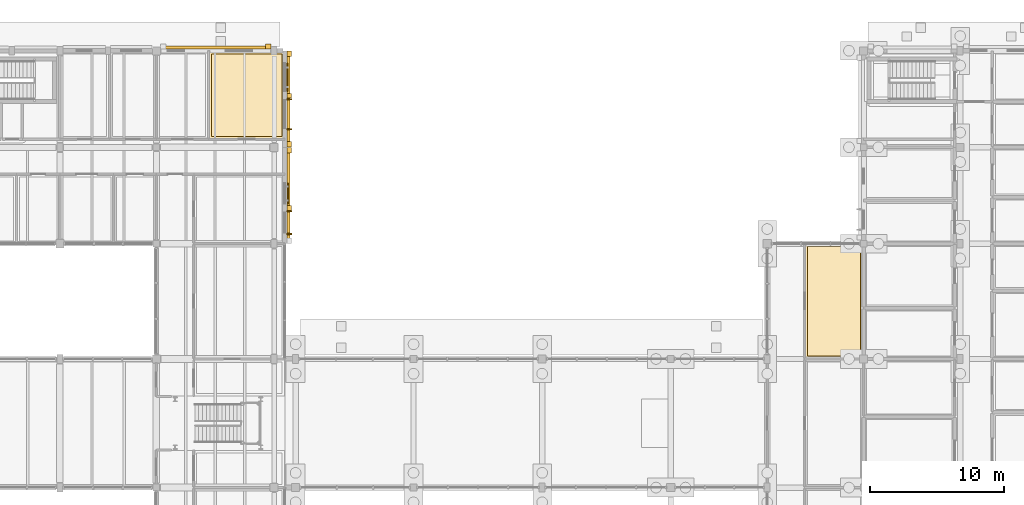
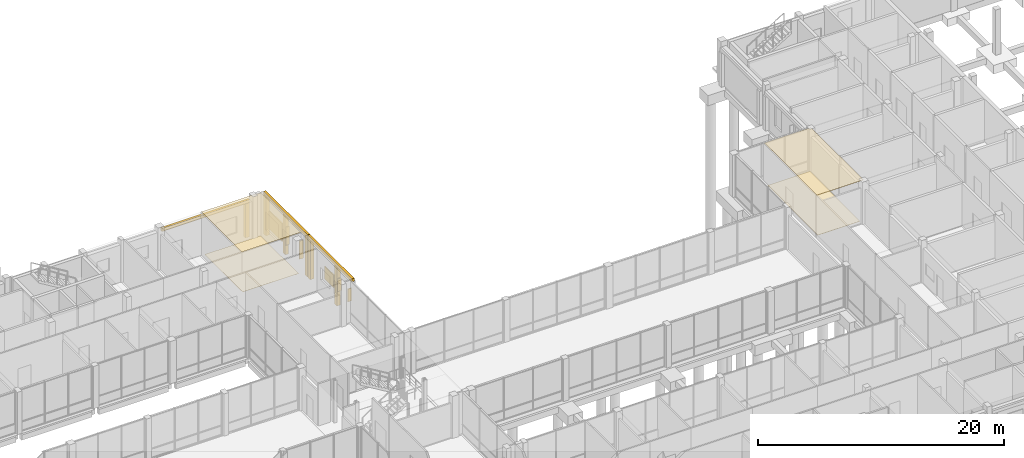
# One storey, part 101 of 104: 13 coverings, 6 shading devices.
"""IFC4 building model written with IfcOpenShell, lengths in metres."""

import ifcopenshell
import ifcopenshell.guid

model = None  # the IFC model being written
_history = None  # IfcOwnerHistory: only IFC2X3 demands one
_inside = {}  # id of a spatial element -> (the spatial element, [elements in it])
_under = {}  # id of a project, library or spatial element -> (it, [spatial elements below it])
_declared = {}  # id of a project -> (the project, [libraries it declares])
_typed = {}  # id of a type object -> (the type object, [elements of that type])
_made_of = {}  # id of a material, layer set ... -> (it, [elements and type objects made of it])


def new_model(schema):
    """Start an empty IFC model of exactly this schema.

    Asked for "IFC4X3", IfcOpenShell would pick the latest addendum, in which some entities
    have other attributes; the version numbers below select the first issue.
    IFC2X3 requires an IfcOwnerHistory on every rooted entity: one is made here for all.
    """
    global model, _history
    if schema == "IFC4X3":
        model = ifcopenshell.file(schema_version=(4, 3, 0, 0))
    else:
        model = ifcopenshell.file(schema=schema)
    _inside.clear()
    _under.clear()
    _declared.clear()
    _typed.clear()
    _made_of.clear()
    _history = None
    if model.schema == "IFC2X3":
        org = make("IfcOrganization", Name="unknown")
        user = make(
            "IfcPersonAndOrganization",
            ThePerson=make("IfcPerson", FamilyName="unknown"),
            TheOrganization=org,
        )
        app = make(
            "IfcApplication",
            ApplicationDeveloper=org,
            Version="unknown",
            ApplicationFullName="unknown",
            ApplicationIdentifier="unknown",
        )
        _history = make(
            "IfcOwnerHistory",
            OwningUser=user,
            OwningApplication=app,
            ChangeAction="ADDED",
            CreationDate=0,
        )
    return model


def make(cls, **values):
    """One entity of the class cls with the attributes given. An attribute that is None is left unset."""
    return model.create_entity(
        cls, **{name: value for name, value in values.items() if value is not None}
    )


def rooted(cls, **values):
    """An entity with a GlobalId (a new one), such as an element, a storey or a relation."""
    return make(cls, GlobalId=ifcopenshell.guid.new(), OwnerHistory=_history, **values)


def si_unit(unit_type, name, prefix=None):
    """IfcSIUnit, for example si_unit("LENGTHUNIT", "METRE", prefix="MILLI")."""
    return make("IfcSIUnit", UnitType=unit_type, Prefix=prefix, Name=name)


def assignment(units):
    """IfcUnitAssignment: the units of a project."""
    return None if units is None else make("IfcUnitAssignment", Units=units)


def point(xyz):
    """IfcCartesianPoint."""
    return None if xyz is None else make("IfcCartesianPoint", Coordinates=xyz)


def direction(xyz):
    """IfcDirection."""
    return None if xyz is None else make("IfcDirection", DirectionRatios=xyz)


def frame(location, z_axis=None, x_axis=None):
    """IfcAxis2Placement3D, a coordinate frame: its origin and axes. An axis left out is left unset."""
    return make(
        "IfcAxis2Placement3D",
        Location=point(location),
        Axis=direction(z_axis),
        RefDirection=direction(x_axis),
    )


def frame_2d(location, x_axis=None):
    """IfcAxis2Placement2D, a coordinate frame in the plane: its origin and x axis."""
    return make(
        "IfcAxis2Placement2D", Location=point(location), RefDirection=direction(x_axis)
    )


def origin():
    """The frame at (0, 0, 0) with its axes left unset."""
    return frame((0.0, 0.0, 0.0))


def origin_2d():
    """The frame at (0, 0) in the plane with its x axis left unset."""
    return frame_2d((0.0, 0.0))


def place(relative_to, where):
    """IfcLocalPlacement: puts the frame where relative to a parent placement (None: the world)."""
    return make(
        "IfcLocalPlacement", PlacementRelTo=relative_to, RelativePlacement=where
    )


def context(
    kind, dimensions, precision=None, world=None, true_north=None, identifier=None
):
    """IfcGeometricRepresentationContext, for example the 3D "Model" context."""
    return make(
        "IfcGeometricRepresentationContext",
        ContextIdentifier=identifier,
        ContextType=kind,
        CoordinateSpaceDimension=dimensions,
        Precision=precision,
        WorldCoordinateSystem=world,
        TrueNorth=true_north,
    )


def subcontext(parent, identifier, kind, view, scale=None):
    """IfcGeometricRepresentationSubContext, for example "Body" below "Model"."""
    return make(
        "IfcGeometricRepresentationSubContext",
        ContextIdentifier=identifier,
        ContextType=kind,
        ParentContext=parent,
        TargetScale=scale,
        TargetView=view,
    )


def project(units=None, contexts=None):
    """IfcProject with its units and contexts."""
    return rooted(
        "IfcProject",
        Name="project",
        RepresentationContexts=contexts,
        UnitsInContext=assignment(units),
    )


def spatial(cls, under=None, at=None, **own):
    """A site, building, storey or space (cls), placed at a placement, below another one or the project."""
    s = rooted(cls, ObjectPlacement=at, **own)
    if under is not None:
        _under.setdefault(under.id(), (under, []))[1].append(s)
    return s


def polyline(points):
    """IfcPolyline through the points."""
    return make("IfcPolyline", Points=[point(p) for p in points])


def profile(cls, at=None, kind="AREA", **sizes):
    """A parametric profile (cls). Its sizes go by their IFC names, for example OverallWidth=200.0."""
    return make(cls, ProfileType=kind, Position=at, **sizes)


def rectangle(**sizes):
    """IfcRectangleProfileDef."""
    return profile("IfcRectangleProfileDef", **sizes)


def outline(outer, holes=None, kind="AREA"):
    """IfcArbitraryClosedProfileDef: a profile drawn as a closed curve; with holes, ...WithVoids."""
    if holes is None:
        return make("IfcArbitraryClosedProfileDef", ProfileType=kind, OuterCurve=outer)
    return make(
        "IfcArbitraryProfileDefWithVoids",
        ProfileType=kind,
        OuterCurve=outer,
        InnerCurves=holes,
    )


def extrude(swept, where, along, depth):
    """IfcExtrudedAreaSolid: the profile swept, set in the frame where, extruded along a direction by depth."""
    return make(
        "IfcExtrudedAreaSolid",
        SweptArea=swept,
        Position=where,
        ExtrudedDirection=direction(along),
        Depth=depth,
    )


def shape(context_of_items, identifier, shape_type, items):
    """IfcShapeRepresentation: the items that make up one representation, for example the "Body"."""
    return make(
        "IfcShapeRepresentation",
        ContextOfItems=context_of_items,
        RepresentationIdentifier=identifier,
        RepresentationType=shape_type,
        Items=items,
    )


def material(Name=None, Category=None):
    """IfcMaterial."""
    return make("IfcMaterial", Name=Name, Category=Category)


def layer(
    of_material, thickness, ventilated=None, Name=None, Category=None, Priority=None
):
    """IfcMaterialLayer: one layer of a wall or slab, of a material (None: an air gap)."""
    return make(
        "IfcMaterialLayer",
        Material=of_material,
        LayerThickness=thickness,
        IsVentilated=ventilated,
        Name=Name,
        Category=Category,
        Priority=Priority,
    )


def layer_set(layers, Name=None):
    """IfcMaterialLayerSet."""
    return make("IfcMaterialLayerSet", MaterialLayers=layers, LayerSetName=Name)


def made_of(thing, what):
    """Note that an element or type object is made of a material, layer set ...; save() writes the relation."""
    if what is not None:
        _made_of.setdefault(what.id(), (what, []))[1].append(thing)
    return thing


def type_object(cls, material=None, **own):
    """A type object (cls), such as IfcWallType, which elements share."""
    return made_of(rooted(cls, **own), material)


def element(
    cls,
    number,
    at=None,
    inside=None,
    cuts=None,
    type_object=None,
    material=None,
    context=None,
    identifier="Body",
    shape_type=None,
    held_by="IfcProductDefinitionShape",
    body=None,
    shapes=None,
    **own,
):
    """One element of the class cls, such as IfcWall. Its Tag is "e" and its number.

    at: its placement. inside: the storey or other place that contains it. cuts: it is an
    opening in that element (IfcRelVoidsElement). A single representation is given by context,
    identifier, shape_type and body (its items); several are given by shapes. held_by: the class
    of the entity that holds the representations. save() writes the other relations.
    """
    e = rooted(cls, Tag="e%d" % number, ObjectPlacement=at, **own)
    if body is not None:
        shapes = [shape(context, identifier, shape_type, body)]
    if shapes is not None:
        e.Representation = make(held_by, Representations=shapes)
    if inside is not None:
        _inside.setdefault(inside.id(), (inside, []))[1].append(e)
    if cuts is not None:
        rooted(
            "IfcRelVoidsElement", RelatingBuildingElement=cuts, RelatedOpeningElement=e
        )
    if type_object is not None:
        _typed.setdefault(type_object.id(), (type_object, []))[1].append(e)
    return made_of(e, material)


def aggregate(whole, parts):
    """IfcRelAggregates: a whole, such as a stair, and the parts it consists of."""
    return rooted("IfcRelAggregates", RelatingObject=whole, RelatedObjects=parts)


def save(model, path):
    """Write the relations noted so far, then the file.

    IfcRelAggregates (storeys below a building ...), IfcRelContainedInSpatialStructure (elements
    in a storey), IfcRelDefinesByType, IfcRelAssociatesMaterial and IfcRelDeclares: one each for
    every whole, place, type object, material and project.
    """
    for whole, parts in _under.values():
        aggregate(whole, parts)
    for where, things in _inside.values():
        rooted(
            "IfcRelContainedInSpatialStructure",
            RelatedElements=things,
            RelatingStructure=where,
        )
    for kind, things in _typed.values():
        rooted("IfcRelDefinesByType", RelatedObjects=things, RelatingType=kind)
    for what, things in _made_of.values():
        rooted("IfcRelAssociatesMaterial", RelatedObjects=things, RelatingMaterial=what)
    for by, libraries in _declared.values():
        rooted("IfcRelDeclares", RelatingContext=by, RelatedDefinitions=libraries)
    model.write(path)


model = new_model("IFC4")

# Units and contexts
model_context = context("Model", 3, precision=1e-05, world=origin(), true_north=direction((0.0, 1.0)))
body_context = subcontext(model_context, "Body", "Model", "MODEL_VIEW")
ifc_project = project(units=[si_unit("LENGTHUNIT", "METRE"), si_unit("AREAUNIT", "SQUARE_METRE"), si_unit("VOLUMEUNIT", "CUBIC_METRE"), si_unit("PLANEANGLEUNIT", "RADIAN"), si_unit("MASSUNIT", "GRAM", prefix="KILO")], contexts=[model_context])

# Site, building, storey
site_placement = place(None, origin())
site = spatial("IfcSite", under=ifc_project, at=site_placement, CompositionType="ELEMENT")
building_placement = place(site_placement, origin())
building = spatial("IfcBuilding", under=site, at=building_placement, Name="Hawrajan Terrace Health Centre", CompositionType="ELEMENT")
storey_placement = place(building_placement, origin())
storey = spatial("IfcBuildingStorey", under=building, at=storey_placement, Name="L00", CompositionType="ELEMENT", Elevation=0.0)

# Coverings
ifc_material_1 = material(Name="Precast concrete C40/50", Category="concrete")
ifc_layer_1 = layer(ifc_material_1, 0.219970703125)
ifc_layer_set_1 = layer_set([ifc_layer_1], Name="Precast concrete C40/50")
covering_type_1 = type_object("IfcCoveringType", Name="ArtDecoCorniceBand", PredefinedType="CLADDING", material=ifc_layer_set_1)
covering_1_placement = place(storey_placement, frame((72.06494140625, 49.0, 3.89013671875), z_axis=(0.0, 0.0, 1.0), x_axis=(0.0, 1.0, 0.0)))
element("IfcCovering", 1, at=covering_1_placement, inside=storey, type_object=covering_type_1, Name="Art Deco limestone cornice band CRN-L00-0032", PredefinedType="CLADDING", context=body_context, shape_type="SweptSolid", body=[
    extrude(rectangle(XDim=7.159912109375, YDim=0.219970703125, at=origin_2d()), origin(), (0.0, 0.0, 1.0), 0.300048828125),
])
covering_2_placement = place(storey_placement, frame((66.637451171875, 60.06005859375, 3.3701171875), z_axis=(0.0, 0.0, 1.0), x_axis=(1.0, 0.0, 0.0)))
element("IfcCovering", 2, at=covering_2_placement, inside=storey, type_object=covering_type_1, Name="Art Deco limestone cornice band CRN-L00-0033", PredefinedType="CLADDING", context=body_context, shape_type="SweptSolid", body=[
    extrude(rectangle(XDim=8.235107421875, YDim=0.219970703125, at=origin_2d()), origin(), (0.0, 0.0, 1.0), 0.300048828125),
])
covering_3_placement = place(storey_placement, frame((72.054931640625, 56.199951171875, 3.89013671875), z_axis=(0.0, 0.0, 1.0), x_axis=(0.0, 1.0, 0.0)))
element("IfcCovering", 3, at=covering_3_placement, inside=storey, type_object=covering_type_1, Name="Art Deco limestone cornice band CRN-L00-0034", PredefinedType="CLADDING", context=body_context, shape_type="SweptSolid", body=[
    extrude(rectangle(XDim=7.159912109375, YDim=0.219970703125, at=origin_2d()), origin(), (0.0, 0.0, 1.0), 0.300048828125),
])
ifc_layer_2 = layer(ifc_material_1, 0.340087890625)
ifc_layer_set_2 = layer_set([ifc_layer_2], Name="Precast concrete C40/50")
covering_type_2 = type_object("IfcCoveringType", Name="ArtDecoStonePilaster", PredefinedType="CLADDING", material=ifc_layer_set_2)
covering_4_placement = place(storey_placement, frame((72.125, 52.3798828125, 0.0), z_axis=(0.0, 0.0, 1.0), x_axis=(0.0, 1.0, 0.0)))
element("IfcCovering", 4, at=covering_4_placement, inside=storey, type_object=covering_type_2, Name="Art Deco fluted limestone pilaster FPIL-L00-0037", PredefinedType="CLADDING", context=body_context, shape_type="SweptSolid", body=[
    extrude(rectangle(XDim=0.39990234375, YDim=0.340087890625, at=origin_2d()), origin(), (0.0, 0.0, 1.0), 3.8798828125),
])
covering_5_placement = place(storey_placement, frame((72.125, 48.06005859375, 0.0), z_axis=(0.0, 0.0, 1.0), x_axis=(0.0, 1.0, 0.0)))
element("IfcCovering", 5, at=covering_5_placement, inside=storey, type_object=covering_type_2, Name="Art Deco mullion pilaster FPIL-L00-0038", PredefinedType="CLADDING", context=body_context, shape_type="SweptSolid", body=[
    extrude(rectangle(XDim=0.360107421875, YDim=0.340087890625, at=origin_2d()), origin(), (0.0, 0.0, 1.0), 3.8798828125),
])
covering_6_placement = place(storey_placement, frame((70.554931640625, 60.1201171875, 0.0), z_axis=(0.0, 0.0, 1.0), x_axis=(1.0, 0.0, 0.0)))
element("IfcCovering", 6, at=covering_6_placement, inside=storey, type_object=covering_type_2, Name="Art Deco fluted limestone pilaster FPIL-L00-0040", PredefinedType="CLADDING", context=body_context, shape_type="SweptSolid", body=[
    extrude(rectangle(XDim=0.39990234375, YDim=0.340087890625, at=origin_2d()), origin(), (0.0, 0.0, 1.0), 3.360107421875),
])
for number, where, z_axis, x_axis, name in (
    (7, (72.114990234375, 52.820068359375, 0.0), (0.0, 0.0, 1.0), (0.0, 1.0, 0.0), "Art Deco fluted limestone pilaster FPIL-L00-0041"),
    (8, (72.114990234375, 59.580078125, 0.0), (0.0, 0.0, 1.0), (0.0, 1.0, 0.0), "Art Deco fluted limestone pilaster FPIL-L00-0042"),
):
    element("IfcCovering", number, at=place(storey_placement, frame(where, z_axis=z_axis, x_axis=x_axis)), inside=storey, type_object=covering_type_2, Name=name, PredefinedType="CLADDING", context=body_context, shape_type="SweptSolid", body=[
        extrude(rectangle(XDim=0.39990234375, YDim=0.340087890625, at=origin_2d()), origin(), (0.0, 0.0, 1.0), 3.8798828125),
    ])
covering_7_placement = place(storey_placement, frame((72.114990234375, 56.43994140625, 0.0), z_axis=(0.0, 0.0, 1.0), x_axis=(0.0, 1.0, 0.0)))
element("IfcCovering", 9, at=covering_7_placement, inside=storey, type_object=covering_type_2, Name="Art Deco mullion pilaster FPIL-L00-0043", PredefinedType="CLADDING", context=body_context, shape_type="SweptSolid", body=[
    extrude(rectangle(XDim=0.360107421875, YDim=0.340087890625, at=origin_2d()), origin(), (0.0, 0.0, 1.0), 3.8798828125),
])
ifc_material_2 = material(Name="Acoustic linear cedar-slat suspended ceiling")
ifc_layer_3 = layer(ifc_material_2, 0.034912109375)
ifc_layer_set_3 = layer_set([ifc_layer_3], Name="Acoustic linear cedar-slat suspended ceiling")
covering_type_3 = type_object("IfcCoveringType", Name="CedarSlatHallCeiling_35", PredefinedType="CEILING", material=ifc_layer_set_3)
covering_8_placement = place(storey_placement, frame((0.0, 0.0, 4.14501953125)))
element("IfcCovering", 10, at=covering_8_placement, inside=storey, type_object=covering_type_3, Name="Suspended ceiling L00-060", PredefinedType="CEILING", context=body_context, shape_type="SweptSolid", body=[
    extrude(outline(polyline([(110.6201171875, 45.3798828125), (114.97998046875, 45.3798828125), (114.97998046875, 36.820068359375), (110.6201171875, 36.820068359375), (110.6201171875, 45.3798828125)])), origin(), (0.0, 0.0, 1.0), 0.034912109375),
])
ifc_material_3 = material(Name="Hygienic mineral-fibre acoustic tile ceiling")
ifc_layer_4 = layer(ifc_material_3, 0.02490234375)
ifc_layer_set_4 = layer_set([ifc_layer_4], Name="Hygienic mineral-fibre acoustic tile ceiling")
covering_type_4 = type_object("IfcCoveringType", Name="ClinicalAcousticCeiling_25", PredefinedType="CEILING", material=ifc_layer_set_4)
covering_9_placement = place(storey_placement, frame((0.0, 0.0, 4.155029296875)))
element("IfcCovering", 11, at=covering_9_placement, inside=storey, type_object=covering_type_4, Name="Suspended ceiling L00-090", PredefinedType="CEILING", context=body_context, shape_type="SweptSolid", body=[
    extrude(outline(polyline([(66.125244140625, 59.780029296875), (71.77490234375, 59.780029296875), (71.77490234375, 53.219970703125), (66.125244140625, 53.219970703125), (66.125244140625, 59.780029296875)])), origin(), (0.0, 0.0, 1.0), 0.02490234375),
])
ifc_material_4 = material(Name="Seamless medical-grade cushioned vinyl flooring")
ifc_layer_5 = layer(ifc_material_4, 0.011962890625)
ifc_layer_set_5 = layer_set([ifc_layer_5], Name="Seamless medical-grade cushioned vinyl flooring")
covering_type_5 = type_object("IfcCoveringType", Name="ClinicalVinylFlooring_12", PredefinedType="FLOORING", material=ifc_layer_set_5)
covering_10_placement = place(storey_placement, origin())
element("IfcCovering", 12, at=covering_10_placement, inside=storey, type_object=covering_type_5, Name="Floor finish L00-090", PredefinedType="FLOORING", context=body_context, shape_type="SweptSolid", body=[
    extrude(outline(polyline([(66.3251953125, 59.580078125), (71.574951171875, 59.580078125), (71.574951171875, 53.419921875), (66.3251953125, 53.419921875), (66.3251953125, 59.580078125)])), origin(), (0.0, 0.0, 1.0), 0.011962890625),
])

# Shading devices
ifc_material_5 = material(Name="Anodized bronze mashrabiya vertical solar fin")
ifc_layer_6 = layer(ifc_material_5, 0.080078125)
ifc_layer_set_6 = layer_set([ifc_layer_6], Name="Anodized bronze mashrabiya vertical solar fin")
shading_device_type_1 = type_object("IfcShadingDeviceType", Name="MashrabiyaVerticalFin", PredefinedType="USERDEFINED", material=ifc_layer_set_6)
for number, where, z_axis, x_axis, name in (
    (13, (72.135009765625, 46.1298828125, 1.5), (0.0, 0.0, 1.0), (0.0, 1.0, 0.0), "Bronze mashrabiya solar fin FIN-L00-0027"),
    (14, (72.135009765625, 47.81005859375, 1.5), (0.0, 0.0, 1.0), (0.0, 1.0, 0.0), "Bronze mashrabiya solar fin FIN-L00-0028"),
):
    element("IfcShadingDevice", number, at=place(storey_placement, frame(where, z_axis=z_axis, x_axis=x_axis)), inside=storey, type_object=shading_device_type_1, Name=name, ObjectType="SOLAR_FIN", PredefinedType="USERDEFINED", context=body_context, shape_type="SweptSolid", body=[
        extrude(rectangle(XDim=0.080078125, YDim=0.360107421875, at=origin_2d()), origin(), (0.0, 0.0, 1.0), 1.25),
    ])
for number, where, z_axis, x_axis, name in (
    (15, (72.125, 53.929931640625, 1.0), (0.0, 0.0, 1.0), (0.0, 1.0, 0.0), "Bronze mashrabiya solar fin FIN-L00-0030"),
    (16, (72.125, 56.18994140625, 1.0), (0.0, 0.0, 1.0), (0.0, 1.0, 0.0), "Bronze mashrabiya solar fin FIN-L00-0031"),
):
    element("IfcShadingDevice", number, at=place(storey_placement, frame(where, z_axis=z_axis, x_axis=x_axis)), inside=storey, type_object=shading_device_type_1, Name=name, ObjectType="SOLAR_FIN", PredefinedType="USERDEFINED", context=body_context, shape_type="SweptSolid", body=[
        extrude(rectangle(XDim=0.080078125, YDim=0.360107421875, at=origin_2d()), origin(), (0.0, 0.0, 1.0), 1.800048828125),
    ])
ifc_material_6 = material(Name="Anodized bronze and cedar roshan lattice")
ifc_layer_7 = layer(ifc_material_6, 0.080078125)
ifc_layer_set_7 = layer_set([ifc_layer_7], Name="Anodized bronze and cedar roshan lattice")
shading_device_type_2 = type_object("IfcShadingDeviceType", Name="RoshanScreen_BronzeCedar", PredefinedType="JALOUSIE", material=ifc_layer_set_7)
shading_device_1_placement = place(storey_placement, frame((72.0, 49.14990234375, 1.5), z_axis=(0.0, 0.0, 1.0), x_axis=(0.0, 1.0, 0.0)))
element("IfcShadingDevice", 17, at=shading_device_1_placement, inside=storey, type_object=shading_device_type_2, Name="Hijazi roshan solar screen RSH-L00-029", PredefinedType="JALOUSIE", context=body_context, shape_type="SweptSolid", body=[
    extrude(rectangle(XDim=1.5, YDim=0.080078125, at=origin_2d()), origin(), (0.0, 0.0, 1.0), 1.25),
])
shading_device_2_placement = place(storey_placement, frame((71.989990234375, 57.820068359375, 1.0), z_axis=(0.0, 0.0, 1.0), x_axis=(0.0, 1.0, 0.0)))
element("IfcShadingDevice", 18, at=shading_device_2_placement, inside=storey, type_object=shading_device_type_2, Name="Hijazi roshan solar screen RSH-L00-032", PredefinedType="JALOUSIE", context=body_context, shape_type="SweptSolid", body=[
    extrude(rectangle(XDim=2.080078125, YDim=0.080078125, at=origin_2d()), origin(), (0.0, 0.0, 1.0), 1.800048828125),
])

# Covering
ifc_material_7 = material(Name="Polished coral-aggregate terrazzo flooring")
ifc_layer_8 = layer(ifc_material_7, 0.02001953125)
ifc_layer_set_8 = layer_set([ifc_layer_8], Name="Polished coral-aggregate terrazzo flooring")
covering_type_6 = type_object("IfcCoveringType", Name="TerrazzoHallFlooring_20", PredefinedType="FLOORING", material=ifc_layer_set_8)
covering_11_placement = place(storey_placement, origin())
element("IfcCovering", 19, at=covering_11_placement, inside=storey, type_object=covering_type_6, Name="Floor finish L00-060", PredefinedType="FLOORING", context=body_context, shape_type="SweptSolid", body=[
    extrude(outline(polyline([(110.820068359375, 45.179931640625), (114.780029296875, 45.179931640625), (114.780029296875, 37.02001953125), (110.820068359375, 37.02001953125), (110.820068359375, 45.179931640625)])), origin(), (0.0, 0.0, 1.0), 0.02001953125),
])

save(model, "model.ifc")
